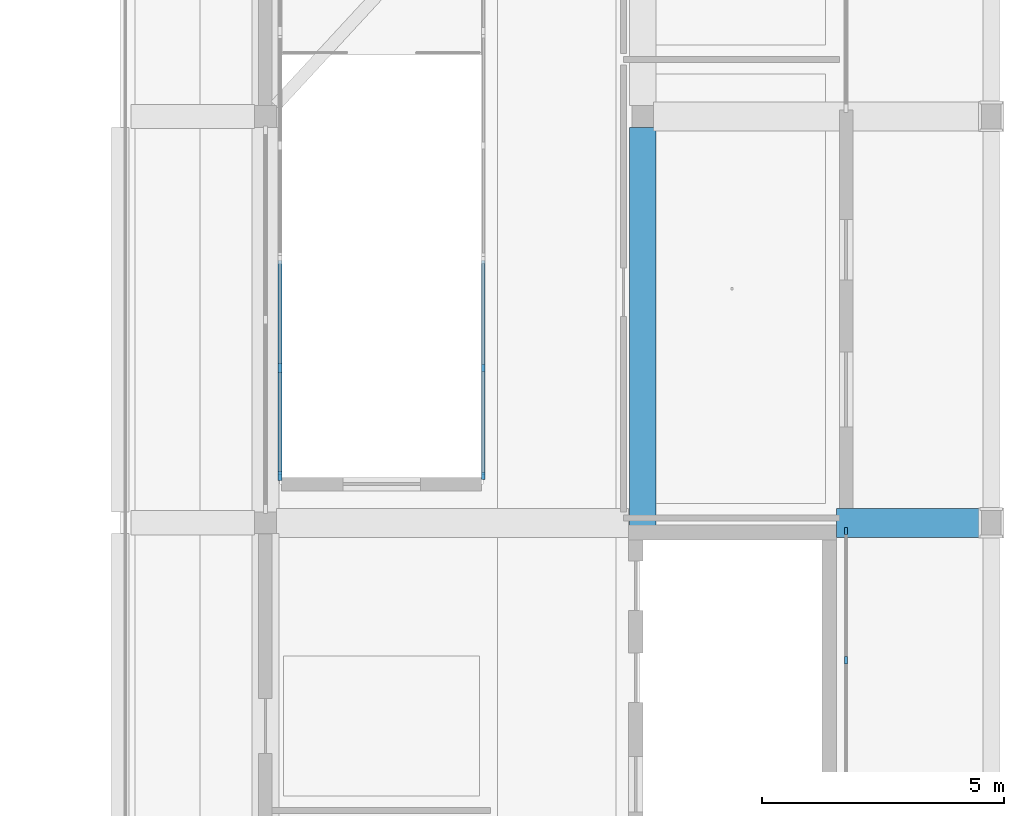
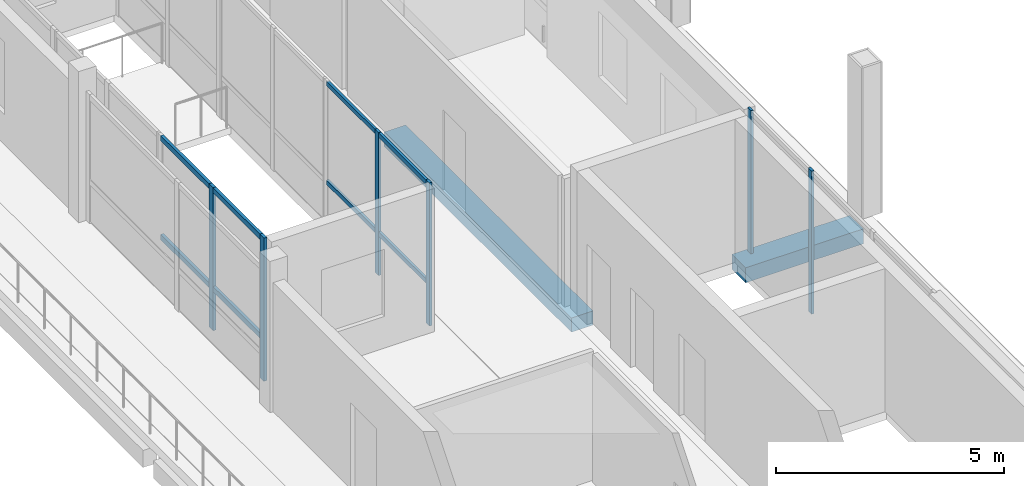
# One storey, part 11 of 48: 10 members, 2 beams, 3 elements without a shape of their own.
"""IFC4 building model written with IfcOpenShell, lengths in metres."""

from ifc_helpers import new_model, si_unit, derived_unit, direction, frame, origin, origin_2d, place, context, subcontext, project, spatial, rectangle, extrude, material, material_profile, profile_set, type_object, element, aggregate, save


model = new_model("IFC4")

# Units and contexts
model_context = context("Model", 3, precision=1e-05, world=origin(), true_north=direction((0.0, 1.0)))
body_context = subcontext(model_context, "Body", "Model", "MODEL_VIEW")
ifc_project = project(units=[si_unit("LENGTHUNIT", "METRE"), si_unit("AREAUNIT", "SQUARE_METRE"), si_unit("VOLUMEUNIT", "CUBIC_METRE"), si_unit("PLANEANGLEUNIT", "RADIAN"), si_unit("MASSUNIT", "GRAM", prefix="KILO"), derived_unit("THERMALTRANSMITTANCEUNIT", [(si_unit("POWERUNIT", "WATT"), 1), (si_unit("LENGTHUNIT", "METRE"), -2), (si_unit("THERMODYNAMICTEMPERATUREUNIT", "KELVIN"), -1)])], contexts=[model_context])

# Site, building, storey
site_placement = place(None, origin())
site = spatial("IfcSite", under=ifc_project, at=site_placement, CompositionType="ELEMENT")
building_placement = place(site_placement, origin())
building = spatial("IfcBuilding", under=site, at=building_placement, Name="Braskholm Square Health Centre", CompositionType="ELEMENT")
storey_placement = place(building_placement, frame((0.0, 0.0, 17.550048828125)))
storey = spatial("IfcBuildingStorey", under=building, at=storey_placement, Name="L05", CompositionType="ELEMENT", Elevation=17.550048828125)

# Curtain wall, members
ifc_material_1 = material(Name="Low-E triple insulating glass (VLT 0.64)", Category="glass")
curtain_wall_type_1 = type_object("IfcCurtainWallType", Name="UnitisedCurtainWall6200x3800", PredefinedType="NOTDEFINED", material=ifc_material_1)
curtain_wall_1_placement = place(storey_placement, origin())
curtain_wall_1 = element("IfcCurtainWall", 1, at=curtain_wall_1_placement, inside=storey, type_object=curtain_wall_type_1, Name="East Crown unitised curtain wall CW-L05-0080", PredefinedType="NOTDEFINED")
ifc_material_2 = material(Name="Architectural bronze anodised aluminium", Category="aluminium")
ifc_material_profile_1 = material_profile(ifc_material_2, rectangle(XDim=0.06494140625, YDim=0.14990234375, at=origin_2d()), Name="ALU-65X150")
ifc_profile_set_1 = profile_set([ifc_material_profile_1], Name="Architectural bronze anodised aluminium")
member_type_1 = type_object("IfcMemberType", Name="CurtainWallMullion65x150", PredefinedType="MULLION", material=ifc_profile_set_1)
member_1_placement = place(storey_placement, frame((160.800048828125, 60.9599609375, 0.0), z_axis=(0.0, 0.0, 1.0), x_axis=(1.0, 0.0, 0.0)))
member_1 = element("IfcMember", 2, at=member_1_placement, type_object=member_type_1, Name="CW-L05-0080 vertical mullion 3", PredefinedType="MULLION", context=body_context, shape_type="SweptSolid", body=[
    extrude(rectangle(XDim=0.06494140625, YDim=0.14990234375, at=origin_2d()), origin(), (0.0, 0.0, 1.0), 3.83984375),
])
member_2_placement = place(storey_placement, frame((160.800048828125, 63.631103515625, 0.0), z_axis=(0.0, 0.0, 1.0), x_axis=(1.0, 0.0, 0.0)))
member_2 = element("IfcMember", 3, at=member_2_placement, type_object=member_type_1, Name="CW-L05-0080 vertical mullion 4", PredefinedType="MULLION", context=body_context, shape_type="SweptSolid", body=[
    extrude(rectangle(XDim=0.06494140625, YDim=0.14990234375, at=origin_2d()), origin(), (0.0, 0.0, 1.0), 3.83984375),
])
aggregate(curtain_wall_1, [member_1, member_2])

curtain_wall_type_2 = type_object("IfcCurtainWallType", Name="UnitisedCurtainWall4800x3800", PredefinedType="NOTDEFINED", material=ifc_material_1)
curtain_wall_2_placement = place(storey_placement, origin())
curtain_wall_2 = element("IfcCurtainWall", 4, at=curtain_wall_2_placement, inside=storey, type_object=curtain_wall_type_2, Name="EC2 Court E unitised curtain wall CW-L05-0376", PredefinedType="NOTDEFINED")
member_3_placement = place(storey_placement, frame((153.300048828125, 67.0009765625, 0.0), z_axis=(0.0, 0.0, 1.0), x_axis=(1.0, 0.0, 0.0)))
member_3 = element("IfcMember", 5, at=member_3_placement, type_object=member_type_1, Name="CW-L05-0376 vertical mullion 2", PredefinedType="MULLION", context=body_context, shape_type="SweptSolid", body=[
    extrude(rectangle(XDim=0.06494140625, YDim=0.14990234375, at=origin_2d()), origin(), (0.0, 0.0, 1.0), 3.83984375),
])
member_4_placement = place(storey_placement, frame((153.300048828125, 64.76708984375, 0.0), z_axis=(0.0, 0.0, 1.0), x_axis=(1.0, 0.0, 0.0)))
member_4 = element("IfcMember", 6, at=member_4_placement, type_object=member_type_1, Name="CW-L05-0376 vertical mullion 3", PredefinedType="MULLION", context=body_context, shape_type="SweptSolid", body=[
    extrude(rectangle(XDim=0.06494140625, YDim=0.14990234375, at=origin_2d()), origin(), (0.0, 0.0, 1.0), 3.83984375),
])

curtain_wall_3_placement = place(storey_placement, origin())
curtain_wall_3 = element("IfcCurtainWall", 7, at=curtain_wall_3_placement, inside=storey, type_object=curtain_wall_type_2, Name="EC2 Court W unitised curtain wall CW-L05-0375", PredefinedType="NOTDEFINED")
ifc_material_profile_2 = material_profile(ifc_material_2, rectangle(XDim=0.074951171875, YDim=0.179931640625, at=origin_2d()), Name="ALU-75X180")
ifc_profile_set_2 = profile_set([ifc_material_profile_2], Name="Architectural bronze anodised aluminium")
member_type_2 = type_object("IfcMemberType", Name="CurtainWallMullion75x180", PredefinedType="MULLION", material=ifc_profile_set_2)
member_5_placement = place(storey_placement, frame((149.10009765625, 64.76708984375, 0.0), z_axis=(0.0, 0.0, 1.0), x_axis=(1.0, 0.0, 0.0)))
member_5 = element("IfcMember", 8, at=member_5_placement, type_object=member_type_2, Name="CW-L05-0375 vertical mullion 1", PredefinedType="MULLION", context=body_context, shape_type="SweptSolid", body=[
    extrude(rectangle(XDim=0.074951171875, YDim=0.179931640625, at=origin_2d()), origin(), (0.0, 0.0, 1.0), 3.83984375),
])
member_6_placement = place(storey_placement, frame((149.10009765625, 67.0009765625, 0.0), z_axis=(0.0, 0.0, 1.0), x_axis=(1.0, 0.0, 0.0)))
member_6 = element("IfcMember", 9, at=member_6_placement, type_object=member_type_2, Name="CW-L05-0375 vertical mullion 2", PredefinedType="MULLION", context=body_context, shape_type="SweptSolid", body=[
    extrude(rectangle(XDim=0.074951171875, YDim=0.179931640625, at=origin_2d()), origin(), (0.0, 0.0, 1.0), 3.83984375),
])

# Member
ifc_material_profile_3 = material_profile(ifc_material_2, rectangle(XDim=0.06494140625, YDim=0.1201171875, at=origin_2d()), Name="ALU-65X120")
ifc_profile_set_3 = profile_set([ifc_material_profile_3], Name="Architectural bronze anodised aluminium")
member_type_3 = type_object("IfcMemberType", Name="CurtainWallTransom65x120", PredefinedType="USERDEFINED", material=ifc_profile_set_3)
member_7_placement = place(storey_placement, frame((153.300048828125, 69.217041015625, 1.119873046875), z_axis=(0.0, -1.0, 0.0), x_axis=(1.0, 0.0, 0.0)))
member_7 = element("IfcMember", 10, at=member_7_placement, type_object=member_type_3, Name="CW-L05-0376 horizontal transom 1", ObjectType="TRANSOM", PredefinedType="USERDEFINED", context=body_context, shape_type="SweptSolid", body=[
    extrude(rectangle(XDim=0.06494140625, YDim=0.1201171875, at=origin_2d()), origin(), (0.0, 0.0, 1.0), 4.43212890625),
])

member_8_placement = place(storey_placement, frame((153.300048828125, 69.217041015625, 3.77001953125), z_axis=(0.0, -1.0, 0.0), x_axis=(1.0, 0.0, 0.0)))
member_8 = element("IfcMember", 11, at=member_8_placement, type_object=member_type_3, Name="CW-L05-0376 horizontal transom 2", ObjectType="TRANSOM", PredefinedType="USERDEFINED", context=body_context, shape_type="SweptSolid", body=[
    extrude(rectangle(XDim=0.06494140625, YDim=0.1201171875, at=origin_2d()), origin(), (0.0, 0.0, 1.0), 4.43212890625),
])

aggregate(curtain_wall_2, [member_3, member_4, member_7, member_8])

ifc_material_profile_4 = material_profile(ifc_material_2, rectangle(XDim=0.074951171875, YDim=0.139892578125, at=origin_2d()), Name="ALU-75X140")
ifc_profile_set_4 = profile_set([ifc_material_profile_4], Name="Architectural bronze anodised aluminium")
member_type_4 = type_object("IfcMemberType", Name="CurtainWallTransom75x140", PredefinedType="USERDEFINED", material=ifc_profile_set_4)
member_9_placement = place(storey_placement, frame((149.10009765625, 64.784912109375, 1.119873046875), z_axis=(0.0, 1.0, 0.0), x_axis=(-1.0, 0.0, 0.0)))
member_9 = element("IfcMember", 12, at=member_9_placement, type_object=member_type_4, Name="CW-L05-0375 horizontal transom 1", ObjectType="TRANSOM", PredefinedType="USERDEFINED", context=body_context, shape_type="SweptSolid", body=[
    extrude(rectangle(XDim=0.074951171875, YDim=0.139892578125, at=origin_2d()), origin(), (0.0, 0.0, 1.0), 4.43212890625),
])

member_10_placement = place(storey_placement, frame((149.10009765625, 64.784912109375, 3.77001953125), z_axis=(0.0, 1.0, 0.0), x_axis=(-1.0, 0.0, 0.0)))
member_10 = element("IfcMember", 13, at=member_10_placement, type_object=member_type_4, Name="CW-L05-0375 horizontal transom 2", ObjectType="TRANSOM", PredefinedType="USERDEFINED", context=body_context, shape_type="SweptSolid", body=[
    extrude(rectangle(XDim=0.074951171875, YDim=0.139892578125, at=origin_2d()), origin(), (0.0, 0.0, 1.0), 4.43212890625),
])

aggregate(curtain_wall_3, [member_5, member_6, member_9, member_10])

# Beams
ifc_material_3 = material(Name="Concrete C35/45 (f'c = 35 MPa)", Category="concrete")
ifc_material_profile_5 = material_profile(ifc_material_3, rectangle(XDim=0.550048828125, YDim=0.3798828125, at=origin_2d()), Name="RCB-550X380")
ifc_profile_set_5 = profile_set([ifc_material_profile_5], Name="Concrete C35/45 (f'c = 35 MPa)")
beam_type_1 = type_object("IfcBeamType", Name="PrimaryBandBeam550x380", PredefinedType="BEAM", material=ifc_profile_set_5)
beam_1_placement = place(storey_placement, frame((156.60009765625, 63.75, -0.469970703125), z_axis=(0.0, 1.0, 0.0), x_axis=(-1.0, 0.0, 0.0)))
element("IfcBeam", 14, at=beam_1_placement, inside=storey, type_object=beam_type_1, Name="Beam 21/H-L L05", PredefinedType="BEAM", context=body_context, shape_type="SweptSolid", body=[
    extrude(rectangle(XDim=0.550048828125, YDim=0.3798828125, at=origin_2d()), origin(), (0.0, 0.0, 1.0), 8.22509765625),
])
ifc_material_profile_6 = material_profile(ifc_material_3, rectangle(XDim=0.60009765625, YDim=0.39990234375, at=origin_2d()), Name="RCB-600X400")
ifc_profile_set_6 = profile_set([ifc_material_profile_6], Name="Concrete C35/45 (f'c = 35 MPa)")
beam_type_2 = type_object("IfcBeamType", Name="PrimaryBandBeam600x400", PredefinedType="BEAM", material=ifc_profile_set_6)
beam_2_placement = place(storey_placement, frame((160.60009765625, 63.800048828125, -0.47998046875), z_axis=(1.0, 0.0, 0.0), x_axis=(0.0, 1.0, 0.0)))
element("IfcBeam", 15, at=beam_2_placement, inside=storey, type_object=beam_type_2, Name="Beam 20-22/K L05", PredefinedType="BEAM", context=body_context, shape_type="SweptSolid", body=[
    extrude(rectangle(XDim=0.60009765625, YDim=0.39990234375, at=origin_2d()), origin(), (0.0, 0.0, 1.0), 2.989990234375),
])

save(model, "model.ifc")
